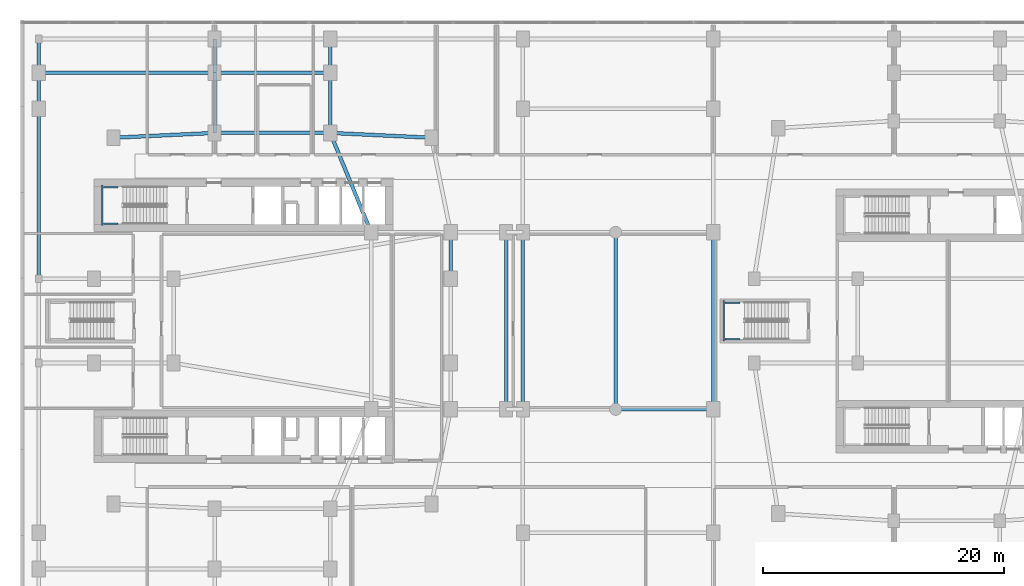
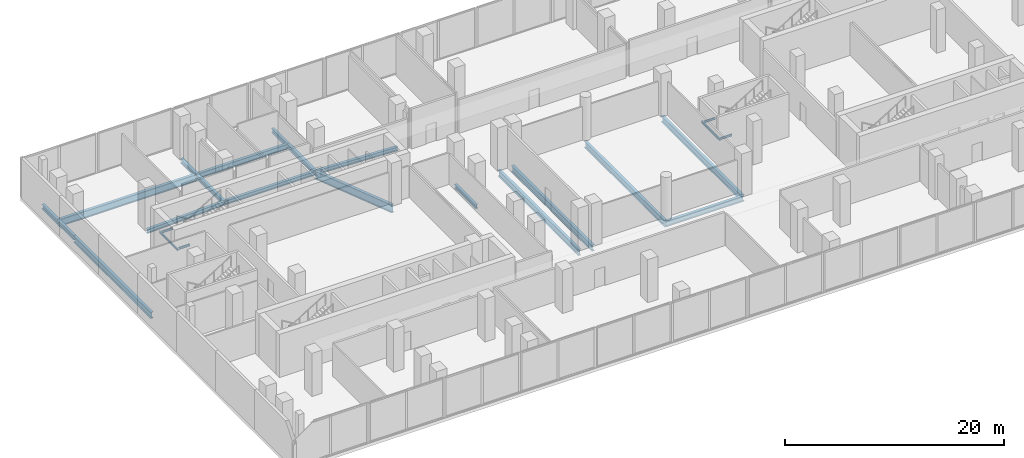
# One storey, part 5 of 23: 25 beams.
"""IFC4 building model written with IfcOpenShell, lengths in metres."""

from ifc_helpers import new_model, si_unit, derived_unit, direction, frame, origin, origin_2d, place, context, subcontext, project, spatial, i_section, extrude, material, material_profile, profile_set, type_object, element, save


model = new_model("IFC4")

# Units and contexts
model_context = context("Model", 3, precision=1e-05, world=origin(), true_north=direction((0.0, 1.0)))
body_context = subcontext(model_context, "Body", "Model", "MODEL_VIEW")
ifc_project = project(units=[si_unit("LENGTHUNIT", "METRE"), si_unit("AREAUNIT", "SQUARE_METRE"), si_unit("VOLUMEUNIT", "CUBIC_METRE"), si_unit("PLANEANGLEUNIT", "RADIAN"), si_unit("MASSUNIT", "GRAM", prefix="KILO"), derived_unit("THERMALTRANSMITTANCEUNIT", [(si_unit("POWERUNIT", "WATT"), 1), (si_unit("LENGTHUNIT", "METRE"), -2), (si_unit("THERMODYNAMICTEMPERATUREUNIT", "KELVIN"), -1)])], contexts=[model_context])

# Site, building, storey
site_placement = place(None, origin())
site = spatial("IfcSite", under=ifc_project, at=site_placement, CompositionType="ELEMENT")
building_placement = place(site_placement, origin())
building = spatial("IfcBuilding", under=site, at=building_placement, Name="Kivonza Crest Hotel", CompositionType="ELEMENT")
storey_placement = place(building_placement, frame((0.0, 0.0, 5.39990234375)))
storey = spatial("IfcBuildingStorey", under=building, at=storey_placement, Name="L01", CompositionType="ELEMENT", Elevation=5.39990234375)

# Beams
ifc_material = material(Name="Steel S355", Category="steel")
ifc_material_profile_1 = material_profile(ifc_material, i_section(OverallWidth=0.300048828125, OverallDepth=0.449951171875, WebThickness=0.013916015625, FlangeThickness=0.02587890625, FilletRadius=0.027099609375, at=origin_2d()), Name="HEB 450")
ifc_profile_set_1 = profile_set([ifc_material_profile_1], Name="Steel S355")
beam_type_1 = type_object("IfcBeamType", Name="BM-HEB450", PredefinedType="SPANDREL", material=ifc_profile_set_1)
beam_1_placement = place(storey_placement, frame((35.800048828125, 28.5, -0.574951171875), z_axis=(0.0, 1.0, 0.0), x_axis=(-1.0, 0.0, 0.0)))
element("IfcBeam", 1, at=beam_1_placement, inside=storey, type_object=beam_type_1, Name="Tower T1 L01 perimeter spandrel E2-PNE", PredefinedType="SPANDREL", context=body_context, shape_type="SweptSolid", body=[
    extrude(i_section(OverallWidth=0.300048828125, OverallDepth=0.449951171875, WebThickness=0.013916015625, FlangeThickness=0.02587890625, FilletRadius=0.027099609375, at=origin_2d()), origin(), (0.0, 0.0, 1.0), 3.85009765625),
])
beam_2_placement = place(storey_placement, frame((34.199951171875, 40.199951171875, -0.574951171875), z_axis=(-0.998867283688, 0.047583080799, 0.0), x_axis=(-0.047583080799, -0.998867283688, 0.0)))
element("IfcBeam", 2, at=beam_2_placement, inside=storey, type_object=beam_type_1, Name="Tower T1 L01 perimeter spandrel NE-N2", PredefinedType="SPANDREL", context=body_context, shape_type="SweptSolid", body=[
    extrude(i_section(OverallWidth=0.300048828125, OverallDepth=0.449951171875, WebThickness=0.013916015625, FlangeThickness=0.02587890625, FilletRadius=0.027099609375, at=origin_2d()), origin(), (0.0, 0.0, 1.0), 8.409423828125),
])
beam_3_placement = place(storey_placement, frame((25.800048828125, 40.60009765625, -0.574951171875), z_axis=(-1.0, 0.0, 0.0), x_axis=(0.0, -1.0, 0.0)))
element("IfcBeam", 3, at=beam_3_placement, inside=storey, type_object=beam_type_1, Name="Tower T1 L01 perimeter spandrel N2-N1", PredefinedType="SPANDREL", context=body_context, shape_type="SweptSolid", body=[
    extrude(i_section(OverallWidth=0.300048828125, OverallDepth=0.449951171875, WebThickness=0.013916015625, FlangeThickness=0.02587890625, FilletRadius=0.027099609375, at=origin_2d()), origin(), (0.0, 0.0, 1.0), 9.60009765625),
])
beam_4_placement = place(storey_placement, frame((16.199951171875, 40.60009765625, -0.574951171875), z_axis=(-0.998867283688, -0.047583080799, 0.0), x_axis=(0.047583080799, -0.998867283688, 0.0)))
element("IfcBeam", 4, at=beam_4_placement, inside=storey, type_object=beam_type_1, Name="Tower T1 L01 perimeter spandrel N1-NW", PredefinedType="SPANDREL", context=body_context, shape_type="SweptSolid", body=[
    extrude(i_section(OverallWidth=0.300048828125, OverallDepth=0.449951171875, WebThickness=0.013916015625, FlangeThickness=0.02587890625, FilletRadius=0.027099609375, at=origin_2d()), origin(), (0.0, 0.0, 1.0), 8.409423828125),
])
ifc_material_profile_2 = material_profile(ifc_material, i_section(OverallWidth=0.300048828125, OverallDepth=0.5, WebThickness=0.014404296875, FlangeThickness=0.028076171875, FilletRadius=0.027099609375, at=origin_2d()), Name="HEB 500")
ifc_profile_set_2 = profile_set([ifc_material_profile_2], Name="Steel S355")
beam_type_2 = type_object("IfcBeamType", Name="BM-HEB500", PredefinedType="BEAM", material=ifc_profile_set_2)
beam_5_placement = place(storey_placement, frame((1.60009765625, 42.60009765625, -0.599853515625), z_axis=(0.0, 1.0, 0.0), x_axis=(-1.0, 0.0, 0.0)))
element("IfcBeam", 5, at=beam_5_placement, inside=storey, type_object=beam_type_2, Name="L01 podium girder Y 54", PredefinedType="BEAM", context=body_context, shape_type="SweptSolid", body=[
    extrude(i_section(OverallWidth=0.300048828125, OverallDepth=0.5, WebThickness=0.014404296875, FlangeThickness=0.028076171875, FilletRadius=0.027099609375, at=origin_2d()), origin(), (0.0, 0.0, 1.0), 3.0),
])
beam_6_placement = place(storey_placement, frame((1.60009765625, 45.60009765625, -0.599853515625), z_axis=(0.0, 1.0, 0.0), x_axis=(-1.0, 0.0, 0.0)))
element("IfcBeam", 6, at=beam_6_placement, inside=storey, type_object=beam_type_2, Name="L01 podium girder Y 55", PredefinedType="BEAM", context=body_context, shape_type="SweptSolid", body=[
    extrude(i_section(OverallWidth=0.300048828125, OverallDepth=0.5, WebThickness=0.014404296875, FlangeThickness=0.028076171875, FilletRadius=0.027099609375, at=origin_2d()), origin(), (0.0, 0.0, 1.0), 2.7998046875),
])
beam_7_placement = place(storey_placement, frame((16.199951171875, 40.60009765625, -0.599853515625), z_axis=(0.0, 1.0, 0.0), x_axis=(-1.0, 0.0, 0.0)))
element("IfcBeam", 7, at=beam_7_placement, inside=storey, type_object=beam_type_2, Name="L01 podium girder Y 60", PredefinedType="BEAM", context=body_context, shape_type="SweptSolid", body=[
    extrude(i_section(OverallWidth=0.300048828125, OverallDepth=0.5, WebThickness=0.014404296875, FlangeThickness=0.028076171875, FilletRadius=0.027099609375, at=origin_2d()), origin(), (0.0, 0.0, 1.0), 5.0),
])
beam_8_placement = place(storey_placement, frame((16.199951171875, 45.60009765625, -0.599853515625), z_axis=(0.0, 1.0, 0.0), x_axis=(-1.0, 0.0, 0.0)))
element("IfcBeam", 8, at=beam_8_placement, inside=storey, type_object=beam_type_2, Name="L01 podium girder Y 61", PredefinedType="BEAM", context=body_context, shape_type="SweptSolid", body=[
    extrude(i_section(OverallWidth=0.300048828125, OverallDepth=0.5, WebThickness=0.014404296875, FlangeThickness=0.028076171875, FilletRadius=0.027099609375, at=origin_2d()), origin(), (0.0, 0.0, 1.0), 2.7998046875),
])
beam_9_placement = place(storey_placement, frame((25.800048828125, 40.60009765625, -0.599853515625), z_axis=(0.0, 1.0, 0.0), x_axis=(-1.0, 0.0, 0.0)))
element("IfcBeam", 9, at=beam_9_placement, inside=storey, type_object=beam_type_2, Name="L01 podium girder Y 64", PredefinedType="BEAM", context=body_context, shape_type="SweptSolid", body=[
    extrude(i_section(OverallWidth=0.300048828125, OverallDepth=0.5, WebThickness=0.014404296875, FlangeThickness=0.028076171875, FilletRadius=0.027099609375, at=origin_2d()), origin(), (0.0, 0.0, 1.0), 5.0),
])
beam_10_placement = place(storey_placement, frame((25.800048828125, 45.60009765625, -0.599853515625), z_axis=(0.0, 1.0, 0.0), x_axis=(-1.0, 0.0, 0.0)))
element("IfcBeam", 10, at=beam_10_placement, inside=storey, type_object=beam_type_2, Name="L01 podium girder Y 65", PredefinedType="BEAM", context=body_context, shape_type="SweptSolid", body=[
    extrude(i_section(OverallWidth=0.300048828125, OverallDepth=0.5, WebThickness=0.014404296875, FlangeThickness=0.028076171875, FilletRadius=0.027099609375, at=origin_2d()), origin(), (0.0, 0.0, 1.0), 2.7998046875),
])
ifc_material_profile_3 = material_profile(ifc_material, i_section(OverallWidth=0.300048828125, OverallDepth=0.60009765625, WebThickness=0.015380859375, FlangeThickness=0.030029296875, FilletRadius=0.027099609375, at=origin_2d()), Name="HEB 600")
ifc_profile_set_3 = profile_set([ifc_material_profile_3], Name="Steel S355")
beam_type_3 = type_object("IfcBeamType", Name="BM-HEB600", PredefinedType="BEAM", material=ifc_profile_set_3)
beam_11_placement = place(storey_placement, frame((49.5, 17.64990234375, -0.64990234375), z_axis=(1.0, 0.0, 0.0), x_axis=(0.0, 1.0, 0.0)))
element("IfcBeam", 11, at=beam_11_placement, inside=storey, type_object=beam_type_3, Name="L01 podium girder X 19", PredefinedType="BEAM", context=body_context, shape_type="SweptSolid", body=[
    extrude(i_section(OverallWidth=0.300048828125, OverallDepth=0.60009765625, WebThickness=0.015380859375, FlangeThickness=0.030029296875, FilletRadius=0.027099609375, at=origin_2d()), origin(), (0.0, 0.0, 1.0), 8.10009765625),
])
beam_12_placement = place(storey_placement, frame((16.199951171875, 45.60009765625, -0.64990234375), z_axis=(1.0, 0.0, 0.0), x_axis=(0.0, 1.0, 0.0)))
element("IfcBeam", 12, at=beam_12_placement, inside=storey, type_object=beam_type_3, Name="L01 podium girder X 39", PredefinedType="BEAM", context=body_context, shape_type="SweptSolid", body=[
    extrude(i_section(OverallWidth=0.300048828125, OverallDepth=0.60009765625, WebThickness=0.015380859375, FlangeThickness=0.030029296875, FilletRadius=0.027099609375, at=origin_2d()), origin(), (0.0, 0.0, 1.0), 9.60009765625),
])
ifc_material_profile_4 = material_profile(ifc_material, i_section(OverallWidth=0.300048828125, OverallDepth=0.699951171875, WebThickness=0.01708984375, FlangeThickness=0.031982421875, FilletRadius=0.027099609375, at=origin_2d()), Name="HEB 700")
ifc_profile_set_4 = profile_set([ifc_material_profile_4], Name="Steel S355")
beam_type_4 = type_object("IfcBeamType", Name="BM-HEB700", PredefinedType="BEAM", material=ifc_profile_set_4)
beam_13_placement = place(storey_placement, frame((1.60009765625, 28.5, -0.699951171875), z_axis=(0.0, 1.0, 0.0), x_axis=(-1.0, 0.0, 0.0)))
element("IfcBeam", 13, at=beam_13_placement, inside=storey, type_object=beam_type_4, Name="L01 podium girder Y 53", PredefinedType="BEAM", context=body_context, shape_type="SweptSolid", body=[
    extrude(i_section(OverallWidth=0.300048828125, OverallDepth=0.699951171875, WebThickness=0.01708984375, FlangeThickness=0.031982421875, FilletRadius=0.027099609375, at=origin_2d()), origin(), (0.0, 0.0, 1.0), 14.10009765625),
])
for number, where, z_axis, x_axis, name in (
    (14, (40.39990234375, 17.64990234375, -0.699951171875), (0.0, 1.0, 0.0), (-1.0, 0.0, 0.0), "L01 podium girder Y 70"),
    (15, (41.800048828125, 17.64990234375, -0.699951171875), (0.0, 1.0, 0.0), (-1.0, 0.0, 0.0), "L01 podium girder Y 73"),
    (16, (49.5, 17.64990234375, -0.699951171875), (0.0, 1.0, 0.0), (-1.0, 0.0, 0.0), "L01 podium girder Y 76"),
    (17, (57.60009765625, 17.64990234375, -0.699951171875), (0.0, 1.0, 0.0), (-1.0, 0.0, 0.0), "L01 podium girder Y 79"),
):
    element("IfcBeam", number, at=place(storey_placement, frame(where, z_axis=z_axis, x_axis=x_axis)), inside=storey, type_object=beam_type_4, Name=name, PredefinedType="BEAM", context=body_context, shape_type="SweptSolid", body=[
        extrude(i_section(OverallWidth=0.300048828125, OverallDepth=0.699951171875, WebThickness=0.01708984375, FlangeThickness=0.031982421875, FilletRadius=0.027099609375, at=origin_2d()), origin(), (0.0, 0.0, 1.0), 14.7001953125),
    ])
ifc_material_profile_5 = material_profile(ifc_material, i_section(OverallWidth=0.300048828125, OverallDepth=0.800048828125, WebThickness=0.017578125, FlangeThickness=0.032958984375, FilletRadius=0.030029296875, at=origin_2d()), Name="HEB 800")
ifc_profile_set_5 = profile_set([ifc_material_profile_5], Name="Steel S355")
beam_type_5 = type_object("IfcBeamType", Name="BM-HEB800", PredefinedType="BEAM", material=ifc_profile_set_5)
beam_14_placement = place(storey_placement, frame((1.60009765625, 45.60009765625, -0.75), z_axis=(1.0, 0.0, 0.0), x_axis=(0.0, 1.0, 0.0)))
element("IfcBeam", 18, at=beam_14_placement, inside=storey, type_object=beam_type_5, Name="L01 podium girder X 38", PredefinedType="BEAM", context=body_context, shape_type="SweptSolid", body=[
    extrude(i_section(OverallWidth=0.300048828125, OverallDepth=0.800048828125, WebThickness=0.017578125, FlangeThickness=0.032958984375, FilletRadius=0.030029296875, at=origin_2d()), origin(), (0.0, 0.0, 1.0), 14.599853515625),
])
ifc_material_profile_6 = material_profile(ifc_material, i_section(OverallWidth=0.300048828125, OverallDepth=0.89990234375, WebThickness=0.0185546875, FlangeThickness=0.034912109375, FilletRadius=0.030029296875, at=origin_2d()), Name="HEB 900")
ifc_profile_set_6 = profile_set([ifc_material_profile_6], Name="Steel S355")
beam_type_6 = type_object("IfcBeamType", Name="BM-HEB900", PredefinedType="BEAM", material=ifc_profile_set_6)
beam_15_placement = place(storey_placement, frame((25.800048828125, 40.60009765625, -0.7998046875), z_axis=(0.381022260404, -0.924565864109, 0.0), x_axis=(0.924565864109, 0.381022260404, 0.0)))
element("IfcBeam", 19, at=beam_15_placement, inside=storey, type_object=beam_type_6, Name="Tower T1 L01 primary girder N1-TNE", PredefinedType="BEAM", context=body_context, shape_type="SweptSolid", body=[
    extrude(i_section(OverallWidth=0.300048828125, OverallDepth=0.89990234375, WebThickness=0.0185546875, FlangeThickness=0.034912109375, FilletRadius=0.030029296875, at=origin_2d()), origin(), (0.0, 0.0, 1.0), 8.923095703125),
])
ifc_material_profile_7 = material_profile(ifc_material, i_section(OverallWidth=0.1201171875, OverallDepth=0.239990234375, WebThickness=0.006103515625, FlangeThickness=0.009765625, FilletRadius=0.014892578125, at=origin_2d()), Name="IPE 240")
ifc_profile_set_7 = profile_set([ifc_material_profile_7], Name="Steel S355")
beam_type_7 = type_object("IfcBeamType", Name="BM-LLDG-240", PredefinedType="BEAM", material=ifc_profile_set_7)
beam_16_placement = place(storey_placement, frame((6.860107421875, 32.89990234375, 2.080078125), z_axis=(0.0, 1.0, 0.0), x_axis=(-1.0, 0.0, 0.0)))
element("IfcBeam", 20, at=beam_16_placement, inside=storey, type_object=beam_type_7, Name="Stair ST-T1-N L01 West landing corbel", PredefinedType="BEAM", context=body_context, shape_type="SweptSolid", body=[
    extrude(i_section(OverallWidth=0.1201171875, OverallDepth=0.239990234375, WebThickness=0.006103515625, FlangeThickness=0.009765625, FilletRadius=0.014892578125, at=origin_2d()), origin(), (0.0, 0.0, 1.0), 3.360107421875),
])
for number, where, z_axis, x_axis, name in (
    (21, (6.989990234375, 33.06005859375, 2.080078125), (1.0, 0.0, 0.0), (0.0, 1.0, 0.0), "Stair ST-T1-N L01 South landing corbel"),
    (22, (6.989990234375, 36.10009765625, 2.080078125), (1.0, 0.0, 0.0), (0.0, 1.0, 0.0), "Stair ST-T1-N L01 North landing corbel"),
):
    element("IfcBeam", number, at=place(storey_placement, frame(where, z_axis=z_axis, x_axis=x_axis)), inside=storey, type_object=beam_type_7, Name=name, PredefinedType="BEAM", context=body_context, shape_type="SweptSolid", body=[
        extrude(i_section(OverallWidth=0.1201171875, OverallDepth=0.239990234375, WebThickness=0.006103515625, FlangeThickness=0.009765625, FilletRadius=0.014892578125, at=origin_2d()), origin(), (0.0, 0.0, 1.0), 1.2099609375),
    ])
beam_17_placement = place(storey_placement, frame((58.4599609375, 23.320068359375, 2.080078125), z_axis=(0.0, 1.0, 0.0), x_axis=(-1.0, 0.0, 0.0)))
element("IfcBeam", 23, at=beam_17_placement, inside=storey, type_object=beam_type_7, Name="Stair ST-POD-E L01 West landing corbel", PredefinedType="BEAM", context=body_context, shape_type="SweptSolid", body=[
    extrude(i_section(OverallWidth=0.1201171875, OverallDepth=0.239990234375, WebThickness=0.006103515625, FlangeThickness=0.009765625, FilletRadius=0.014892578125, at=origin_2d()), origin(), (0.0, 0.0, 1.0), 3.35986328125),
])
for number, where, z_axis, x_axis, name in (
    (24, (58.590087890625, 23.47998046875, 2.080078125), (1.0, 0.0, 0.0), (0.0, 1.0, 0.0), "Stair ST-POD-E L01 South landing corbel"),
    (25, (58.590087890625, 26.52001953125, 2.080078125), (1.0, 0.0, 0.0), (0.0, 1.0, 0.0), "Stair ST-POD-E L01 North landing corbel"),
):
    element("IfcBeam", number, at=place(storey_placement, frame(where, z_axis=z_axis, x_axis=x_axis)), inside=storey, type_object=beam_type_7, Name=name, PredefinedType="BEAM", context=body_context, shape_type="SweptSolid", body=[
        extrude(i_section(OverallWidth=0.1201171875, OverallDepth=0.239990234375, WebThickness=0.006103515625, FlangeThickness=0.009765625, FilletRadius=0.014892578125, at=origin_2d()), origin(), (0.0, 0.0, 1.0), 1.2099609375),
    ])

save(model, "model.ifc")
